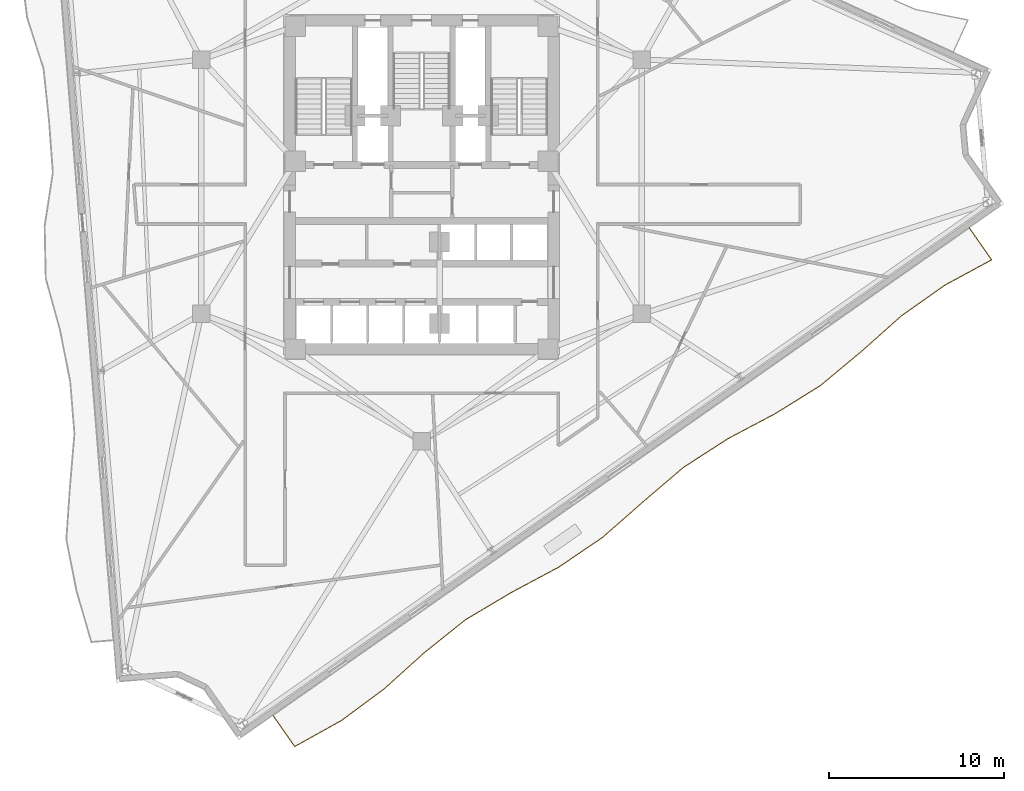
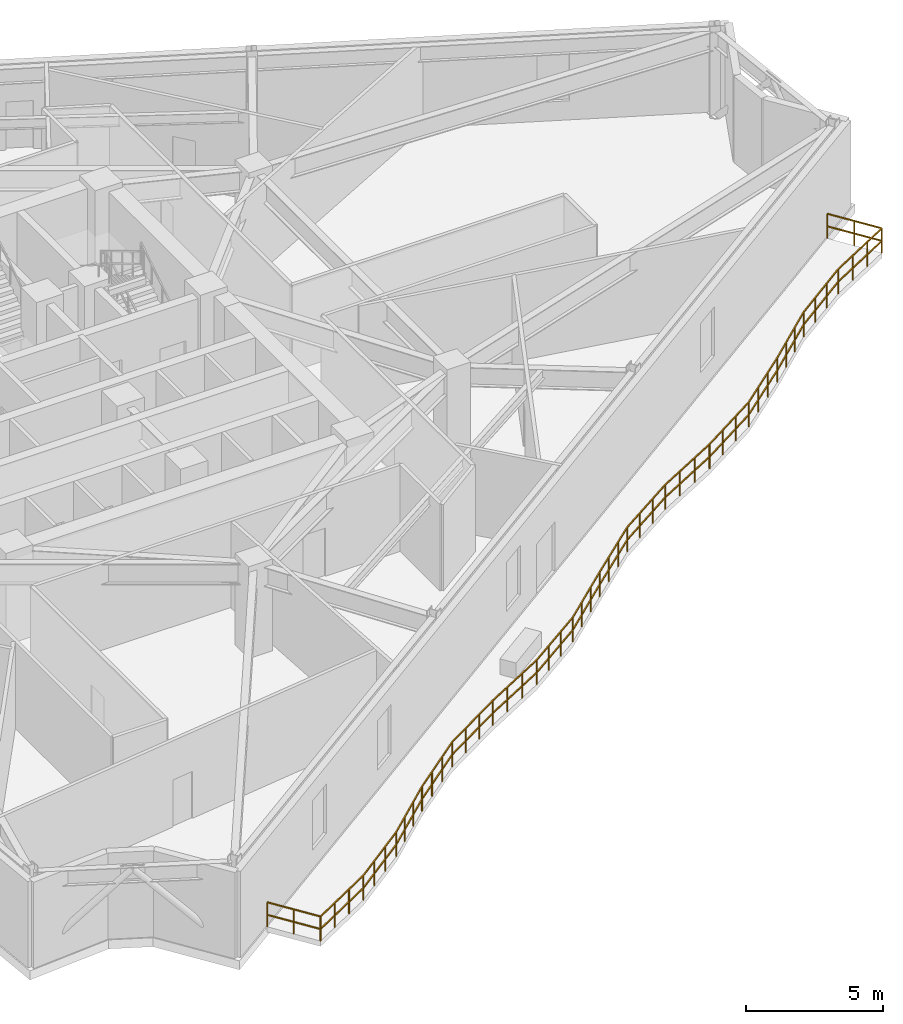
# One storey, part 12 of 14: 1 railing.
"""IFC4 building model written with IfcOpenShell, lengths in metres."""

from ifc_helpers import new_model, si_unit, direction, frame, origin, origin_2d, place, context, subcontext, project, spatial, rectangle, extrude, material, type_object, element, save


model = new_model("IFC4")

# Units and contexts
model_context = context("Model", 3, precision=1e-05, world=origin(), true_north=direction((0.0, 1.0)))
body_context = subcontext(model_context, "Body", "Model", "MODEL_VIEW")
ifc_project = project(units=[si_unit("LENGTHUNIT", "METRE"), si_unit("AREAUNIT", "SQUARE_METRE"), si_unit("VOLUMEUNIT", "CUBIC_METRE"), si_unit("PLANEANGLEUNIT", "RADIAN"), si_unit("MASSUNIT", "GRAM", prefix="KILO")], contexts=[model_context])

# Site, building, storey
site_placement = place(None, origin())
site = spatial("IfcSite", under=ifc_project, at=site_placement, CompositionType="ELEMENT")
building_placement = place(site_placement, origin())
building = spatial("IfcBuilding", under=site, at=building_placement, Name="Apsidion Concourse Tower", CompositionType="ELEMENT")
storey_placement = place(building_placement, frame((0.0, 0.0, 194.199951171875)))
storey = spatial("IfcBuildingStorey", under=building, at=storey_placement, Name="L45", CompositionType="ELEMENT", Elevation=194.199951171875)

# Railing
ifc_material = material(Name="Brushed stainless steel 316", Category="steel")
railing_type = type_object("IfcRailingType", Name="RL-BAL-1120", PredefinedType="BALUSTRADE", material=ifc_material)
railing_placement = place(storey_placement, frame((31.23095703125, -2.356689453125, 0.0)))
element("IfcRailing", 1, at=railing_placement, inside=storey, type_object=railing_type, Name="L45 Face 2 Spiral Terrace Balustrade", PredefinedType="BALUSTRADE", context=body_context, shape_type="SweptSolid", body=[
    extrude(rectangle(XDim=0.048095703125, YDim=0.048095703125, at=origin_2d()), frame((0.0, 0.0, 1.09619140625), z_axis=(0.573640191137, -0.81910739901, 0.0), x_axis=(0.81910739901, 0.573640191137, 0.0)), (0.0, 0.0, 1.0), 2.2109375),
    extrude(rectangle(XDim=0.048095703125, YDim=0.048095703125, at=origin_2d()), frame((0.0, 0.0, 0.5361328125), z_axis=(0.573640191137, -0.81910739901, 0.0), x_axis=(0.81910739901, 0.573640191137, 0.0)), (0.0, 0.0, 1.0), 2.2109375),
    extrude(rectangle(XDim=0.048095703125, YDim=0.048095703125, at=origin_2d()), frame((1.268310546875, -1.81103515625, 1.09619140625), z_axis=(-0.879104654017, -0.476628794016, 0.0), x_axis=(0.476628794016, -0.879104654017, 0.0)), (0.0, 0.0, 1.0), 3.048828125),
    extrude(rectangle(XDim=0.048095703125, YDim=0.048095703125, at=origin_2d()), frame((1.268310546875, -1.81103515625, 0.5361328125), z_axis=(-0.879104654017, -0.476628794016, 0.0), x_axis=(0.476628794016, -0.879104654017, 0.0)), (0.0, 0.0, 1.0), 3.048828125),
    extrude(rectangle(XDim=0.048095703125, YDim=0.048095703125, at=origin_2d()), frame((-1.411865234375, -3.26416015625, 1.09619140625), z_axis=(-0.816831578445, -0.576876219354, 0.0), x_axis=(0.576876219354, -0.816831578445, 0.0)), (0.0, 0.0, 1.0), 3.02880859375),
    extrude(rectangle(XDim=0.048095703125, YDim=0.048095703125, at=origin_2d()), frame((-1.411865234375, -3.26416015625, 0.5361328125), z_axis=(-0.816831578445, -0.576876219354, 0.0), x_axis=(0.576876219354, -0.816831578445, 0.0)), (0.0, 0.0, 1.0), 3.02880859375),
    extrude(rectangle(XDim=0.048095703125, YDim=0.048095703125, at=origin_2d()), frame((-3.885986328125, -5.011474609375, 1.09619140625), z_axis=(-0.746640324268, -0.665227950538, 0.0), x_axis=(0.665227950538, -0.746640324268, 0.0)), (0.0, 0.0, 1.0), 3.0498046875),
    extrude(rectangle(XDim=0.048095703125, YDim=0.048095703125, at=origin_2d()), frame((-3.885986328125, -5.011474609375, 0.5361328125), z_axis=(-0.746640324268, -0.665227950538, 0.0), x_axis=(0.665227950538, -0.746640324268, 0.0)), (0.0, 0.0, 1.0), 3.0498046875),
    extrude(rectangle(XDim=0.048095703125, YDim=0.048095703125, at=origin_2d()), frame((-6.1630859375, -7.040283203125, 1.09619140625), z_axis=(-0.768622749673, -0.639702328185, 0.0), x_axis=(0.639702328185, -0.768622749673, 0.0)), (0.0, 0.0, 1.0), 3.03955078125),
    extrude(rectangle(XDim=0.048095703125, YDim=0.048095703125, at=origin_2d()), frame((-6.1630859375, -7.040283203125, 0.5361328125), z_axis=(-0.768622749673, -0.639702328185, 0.0), x_axis=(0.639702328185, -0.768622749673, 0.0)), (0.0, 0.0, 1.0), 3.03955078125),
    extrude(rectangle(XDim=0.048095703125, YDim=0.048095703125, at=origin_2d()), frame((-8.499267578125, -8.984619140625, 1.09619140625), z_axis=(-0.849590425869, -0.527442990542, 0.0), x_axis=(0.527442990542, -0.849590425869, 0.0)), (0.0, 0.0, 1.0), 3.03369140625),
    extrude(rectangle(XDim=0.048095703125, YDim=0.048095703125, at=origin_2d()), frame((-8.499267578125, -8.984619140625, 0.5361328125), z_axis=(-0.849590425869, -0.527442990542, 0.0), x_axis=(0.527442990542, -0.849590425869, 0.0)), (0.0, 0.0, 1.0), 3.03369140625),
    extrude(rectangle(XDim=0.048095703125, YDim=0.048095703125, at=origin_2d()), frame((-11.07666015625, -10.584716796875, 1.09619140625), z_axis=(-0.883803481373, -0.467858318631, 0.0), x_axis=(0.467858318631, -0.883803481373, 0.0)), (0.0, 0.0, 1.0), 3.05224609375),
    extrude(rectangle(XDim=0.048095703125, YDim=0.048095703125, at=origin_2d()), frame((-11.07666015625, -10.584716796875, 0.5361328125), z_axis=(-0.883803481373, -0.467858318631, 0.0), x_axis=(0.467858318631, -0.883803481373, 0.0)), (0.0, 0.0, 1.0), 3.05224609375),
    extrude(rectangle(XDim=0.048095703125, YDim=0.048095703125, at=origin_2d()), frame((-13.774169921875, -12.0126953125, 1.09619140625), z_axis=(-0.840077612665, -0.542466224477, 0.0), x_axis=(0.542466224477, -0.840077612665, 0.0)), (0.0, 0.0, 1.0), 3.03125),
    extrude(rectangle(XDim=0.048095703125, YDim=0.048095703125, at=origin_2d()), frame((-13.774169921875, -12.0126953125, 0.5361328125), z_axis=(-0.840077612665, -0.542466224477, 0.0), x_axis=(0.542466224477, -0.840077612665, 0.0)), (0.0, 0.0, 1.0), 3.03125),
    extrude(rectangle(XDim=0.048095703125, YDim=0.048095703125, at=origin_2d()), frame((-16.320556640625, -13.656982421875, 1.09619140625), z_axis=(-0.760071491099, -0.649839463574, 0.0), x_axis=(0.649839463574, -0.760071491099, 0.0)), (0.0, 0.0, 1.0), 3.043212890625),
    extrude(rectangle(XDim=0.048095703125, YDim=0.048095703125, at=origin_2d()), frame((-16.320556640625, -13.656982421875, 0.5361328125), z_axis=(-0.760071491099, -0.649839463574, 0.0), x_axis=(0.649839463574, -0.760071491099, 0.0)), (0.0, 0.0, 1.0), 3.043212890625),
    extrude(rectangle(XDim=0.048095703125, YDim=0.048095703125, at=origin_2d()), frame((-18.633544921875, -15.634521484375, 1.09619140625), z_axis=(-0.751866427049, -0.659315460062, 0.0), x_axis=(0.659315460062, -0.751866427049, 0.0)), (0.0, 0.0, 1.0), 3.046875),
    extrude(rectangle(XDim=0.048095703125, YDim=0.048095703125, at=origin_2d()), frame((-18.633544921875, -15.634521484375, 0.5361328125), z_axis=(-0.751866427049, -0.659315460062, 0.0), x_axis=(0.659315460062, -0.751866427049, 0.0)), (0.0, 0.0, 1.0), 3.046875),
    extrude(rectangle(XDim=0.048095703125, YDim=0.048095703125, at=origin_2d()), frame((-20.92431640625, -17.643310546875, 1.09619140625), z_axis=(-0.827823315276, -0.560988911374, 0.0), x_axis=(0.560988911374, -0.827823315276, 0.0)), (0.0, 0.0, 1.0), 3.029296875),
    extrude(rectangle(XDim=0.048095703125, YDim=0.048095703125, at=origin_2d()), frame((-20.92431640625, -17.643310546875, 0.5361328125), z_axis=(-0.827823315276, -0.560988911374, 0.0), x_axis=(0.560988911374, -0.827823315276, 0.0)), (0.0, 0.0, 1.0), 3.029296875),
    extrude(rectangle(XDim=0.048095703125, YDim=0.048095703125, at=origin_2d()), frame((-23.43212890625, -19.3427734375, 1.09619140625), z_axis=(-0.882033746725, -0.471186236682, 0.0), x_axis=(0.471186236682, -0.882033746725, 0.0)), (0.0, 0.0, 1.0), 3.05078125),
    extrude(rectangle(XDim=0.048095703125, YDim=0.048095703125, at=origin_2d()), frame((-23.43212890625, -19.3427734375, 0.5361328125), z_axis=(-0.882033746725, -0.471186236682, 0.0), x_axis=(0.471186236682, -0.882033746725, 0.0)), (0.0, 0.0, 1.0), 3.05078125),
    extrude(rectangle(XDim=0.048095703125, YDim=0.048095703125, at=origin_2d()), frame((-26.123046875, -20.7802734375, 1.09619140625), z_axis=(-0.859613173751, -0.510945389952, 0.0), x_axis=(0.510945389952, -0.859613173751, 0.0)), (0.0, 0.0, 1.0), 3.03759765625),
    extrude(rectangle(XDim=0.048095703125, YDim=0.048095703125, at=origin_2d()), frame((-26.123046875, -20.7802734375, 0.5361328125), z_axis=(-0.859613173751, -0.510945389952, 0.0), x_axis=(0.510945389952, -0.859613173751, 0.0)), (0.0, 0.0, 1.0), 3.03759765625),
    extrude(rectangle(XDim=0.048095703125, YDim=0.048095703125, at=origin_2d()), frame((-28.734130859375, -22.332275390625, 1.09619140625), z_axis=(-0.780059880861, -0.625704868346, 0.0), x_axis=(0.625704868346, -0.780059880861, 0.0)), (0.0, 0.0, 1.0), 3.03515625),
    extrude(rectangle(XDim=0.048095703125, YDim=0.048095703125, at=origin_2d()), frame((-28.734130859375, -22.332275390625, 0.5361328125), z_axis=(-0.780059880861, -0.625704868346, 0.0), x_axis=(0.625704868346, -0.780059880861, 0.0)), (0.0, 0.0, 1.0), 3.03515625),
    extrude(rectangle(XDim=0.048095703125, YDim=0.048095703125, at=origin_2d()), frame((-31.101806640625, -24.2314453125, 1.09619140625), z_axis=(-0.742796705555, -0.669517030565, 0.0), x_axis=(0.669517030565, -0.742796705555, 0.0)), (0.0, 0.0, 1.0), 3.0517578125),
    extrude(rectangle(XDim=0.048095703125, YDim=0.048095703125, at=origin_2d()), frame((-31.101806640625, -24.2314453125, 0.5361328125), z_axis=(-0.742796705555, -0.669517030565, 0.0), x_axis=(0.669517030565, -0.742796705555, 0.0)), (0.0, 0.0, 1.0), 3.0517578125),
    extrude(rectangle(XDim=0.048095703125, YDim=0.048095703125, at=origin_2d()), frame((-33.36865234375, -26.274658203125, 1.09619140625), z_axis=(-0.803707036325, -0.59502520935, 0.0), x_axis=(0.59502520935, -0.803707036325, 0.0)), (0.0, 0.0, 1.0), 3.030029296875),
    extrude(rectangle(XDim=0.048095703125, YDim=0.048095703125, at=origin_2d()), frame((-33.36865234375, -26.274658203125, 0.5361328125), z_axis=(-0.803707036325, -0.59502520935, 0.0), x_axis=(0.59502520935, -0.803707036325, 0.0)), (0.0, 0.0, 1.0), 3.030029296875),
    extrude(rectangle(XDim=0.048095703125, YDim=0.048095703125, at=origin_2d()), frame((-35.803955078125, -28.07763671875, 1.09619140625), z_axis=(-0.873850764985, -0.48619424157, 0.0), x_axis=(0.48619424157, -0.873850764985, 0.0)), (0.0, 0.0, 1.0), 3.044921875),
    extrude(rectangle(XDim=0.048095703125, YDim=0.048095703125, at=origin_2d()), frame((-35.803955078125, -28.07763671875, 0.5361328125), z_axis=(-0.873850764985, -0.48619424157, 0.0), x_axis=(0.48619424157, -0.873850764985, 0.0)), (0.0, 0.0, 1.0), 3.044921875),
    extrude(rectangle(XDim=0.048095703125, YDim=0.048095703125, at=origin_2d()), frame((-38.46484375, -29.55810546875, 1.09619140625), z_axis=(-0.573629982879, 0.819114547998, 0.0), x_axis=(-0.819114547998, -0.573629982879, 0.0)), (0.0, 0.0, 1.0), 2.150146484375),
    extrude(rectangle(XDim=0.048095703125, YDim=0.048095703125, at=origin_2d()), frame((-38.46484375, -29.55810546875, 0.5361328125), z_axis=(-0.573629982879, 0.819114547998, 0.0), x_axis=(-0.819114547998, -0.573629982879, 0.0)), (0.0, 0.0, 1.0), 2.150146484375),
    extrude(rectangle(XDim=0.0419921875, YDim=0.0419921875, at=origin_2d()), origin(), (0.0, 0.0, 1.0), 1.072021484375),
    extrude(rectangle(XDim=0.0419921875, YDim=0.0419921875, at=origin_2d()), frame((0.63427734375, -0.905517578125, 0.0)), (0.0, 0.0, 1.0), 1.072021484375),
    extrude(rectangle(XDim=0.0419921875, YDim=0.0419921875, at=origin_2d()), frame((1.268310546875, -1.81103515625, 0.0)), (0.0, 0.0, 1.0), 1.072021484375),
    extrude(rectangle(XDim=0.0419921875, YDim=0.0419921875, at=origin_2d()), frame((0.375, -2.29541015625, 0.0)), (0.0, 0.0, 1.0), 1.072021484375),
    extrude(rectangle(XDim=0.0419921875, YDim=0.0419921875, at=origin_2d()), frame((-0.5185546875, -2.77978515625, 0.0)), (0.0, 0.0, 1.0), 1.072021484375),
    extrude(rectangle(XDim=0.0419921875, YDim=0.0419921875, at=origin_2d()), frame((-1.411865234375, -3.26416015625, 0.0)), (0.0, 0.0, 1.0), 1.072021484375),
    extrude(rectangle(XDim=0.0419921875, YDim=0.0419921875, at=origin_2d()), frame((-2.236572265625, -3.8466796875, 0.0)), (0.0, 0.0, 1.0), 1.072021484375),
    extrude(rectangle(XDim=0.0419921875, YDim=0.0419921875, at=origin_2d()), frame((-3.061279296875, -4.428955078125, 0.0)), (0.0, 0.0, 1.0), 1.072021484375),
    extrude(rectangle(XDim=0.0419921875, YDim=0.0419921875, at=origin_2d()), frame((-3.885986328125, -5.011474609375, 0.0)), (0.0, 0.0, 1.0), 1.072021484375),
    extrude(rectangle(XDim=0.0419921875, YDim=0.0419921875, at=origin_2d()), frame((-4.64501953125, -5.687744140625, 0.0)), (0.0, 0.0, 1.0), 1.072021484375),
    extrude(rectangle(XDim=0.0419921875, YDim=0.0419921875, at=origin_2d()), frame((-5.404052734375, -6.364013671875, 0.0)), (0.0, 0.0, 1.0), 1.072021484375),
    extrude(rectangle(XDim=0.0419921875, YDim=0.0419921875, at=origin_2d()), frame((-6.1630859375, -7.040283203125, 0.0)), (0.0, 0.0, 1.0), 1.072021484375),
    extrude(rectangle(XDim=0.0419921875, YDim=0.0419921875, at=origin_2d()), frame((-6.94189453125, -7.6884765625, 0.0)), (0.0, 0.0, 1.0), 1.072021484375),
    extrude(rectangle(XDim=0.0419921875, YDim=0.0419921875, at=origin_2d()), frame((-7.720458984375, -8.33642578125, 0.0)), (0.0, 0.0, 1.0), 1.072021484375),
    extrude(rectangle(XDim=0.0419921875, YDim=0.0419921875, at=origin_2d()), frame((-8.499267578125, -8.984619140625, 0.0)), (0.0, 0.0, 1.0), 1.072021484375),
    extrude(rectangle(XDim=0.0419921875, YDim=0.0419921875, at=origin_2d()), frame((-9.3583984375, -9.51806640625, 0.0)), (0.0, 0.0, 1.0), 1.072021484375),
    extrude(rectangle(XDim=0.0419921875, YDim=0.0419921875, at=origin_2d()), frame((-10.217529296875, -10.05126953125, 0.0)), (0.0, 0.0, 1.0), 1.072021484375),
    extrude(rectangle(XDim=0.0419921875, YDim=0.0419921875, at=origin_2d()), frame((-11.07666015625, -10.584716796875, 0.0)), (0.0, 0.0, 1.0), 1.072021484375),
    extrude(rectangle(XDim=0.0419921875, YDim=0.0419921875, at=origin_2d()), frame((-11.975830078125, -11.060791015625, 0.0)), (0.0, 0.0, 1.0), 1.072021484375),
    extrude(rectangle(XDim=0.0419921875, YDim=0.0419921875, at=origin_2d()), frame((-12.875, -11.53662109375, 0.0)), (0.0, 0.0, 1.0), 1.072021484375),
    extrude(rectangle(XDim=0.0419921875, YDim=0.0419921875, at=origin_2d()), frame((-13.774169921875, -12.0126953125, 0.0)), (0.0, 0.0, 1.0), 1.072021484375),
    extrude(rectangle(XDim=0.0419921875, YDim=0.0419921875, at=origin_2d()), frame((-14.623046875, -12.560791015625, 0.0)), (0.0, 0.0, 1.0), 1.072021484375),
    extrude(rectangle(XDim=0.0419921875, YDim=0.0419921875, at=origin_2d()), frame((-15.4716796875, -13.10888671875, 0.0)), (0.0, 0.0, 1.0), 1.072021484375),
    extrude(rectangle(XDim=0.0419921875, YDim=0.0419921875, at=origin_2d()), frame((-16.320556640625, -13.656982421875, 0.0)), (0.0, 0.0, 1.0), 1.072021484375),
    extrude(rectangle(XDim=0.0419921875, YDim=0.0419921875, at=origin_2d()), frame((-17.091552734375, -14.316162109375, 0.0)), (0.0, 0.0, 1.0), 1.072021484375),
    extrude(rectangle(XDim=0.0419921875, YDim=0.0419921875, at=origin_2d()), frame((-17.862548828125, -14.975341796875, 0.0)), (0.0, 0.0, 1.0), 1.072021484375),
    extrude(rectangle(XDim=0.0419921875, YDim=0.0419921875, at=origin_2d()), frame((-18.633544921875, -15.634521484375, 0.0)), (0.0, 0.0, 1.0), 1.072021484375),
    extrude(rectangle(XDim=0.0419921875, YDim=0.0419921875, at=origin_2d()), frame((-19.397216796875, -16.30419921875, 0.0)), (0.0, 0.0, 1.0), 1.072021484375),
    extrude(rectangle(XDim=0.0419921875, YDim=0.0419921875, at=origin_2d()), frame((-20.16064453125, -16.9736328125, 0.0)), (0.0, 0.0, 1.0), 1.072021484375),
    extrude(rectangle(XDim=0.0419921875, YDim=0.0419921875, at=origin_2d()), frame((-20.92431640625, -17.643310546875, 0.0)), (0.0, 0.0, 1.0), 1.072021484375),
    extrude(rectangle(XDim=0.0419921875, YDim=0.0419921875, at=origin_2d()), frame((-21.76025390625, -18.209716796875, 0.0)), (0.0, 0.0, 1.0), 1.072021484375),
    extrude(rectangle(XDim=0.0419921875, YDim=0.0419921875, at=origin_2d()), frame((-22.59619140625, -18.7763671875, 0.0)), (0.0, 0.0, 1.0), 1.072021484375),
    extrude(rectangle(XDim=0.0419921875, YDim=0.0419921875, at=origin_2d()), frame((-23.43212890625, -19.3427734375, 0.0)), (0.0, 0.0, 1.0), 1.072021484375),
    extrude(rectangle(XDim=0.0419921875, YDim=0.0419921875, at=origin_2d()), frame((-24.3291015625, -19.822021484375, 0.0)), (0.0, 0.0, 1.0), 1.072021484375),
    extrude(rectangle(XDim=0.0419921875, YDim=0.0419921875, at=origin_2d()), frame((-25.22607421875, -20.301025390625, 0.0)), (0.0, 0.0, 1.0), 1.072021484375),
    extrude(rectangle(XDim=0.0419921875, YDim=0.0419921875, at=origin_2d()), frame((-26.123046875, -20.7802734375, 0.0)), (0.0, 0.0, 1.0), 1.072021484375),
    extrude(rectangle(XDim=0.0419921875, YDim=0.0419921875, at=origin_2d()), frame((-26.993408203125, -21.297607421875, 0.0)), (0.0, 0.0, 1.0), 1.072021484375),
    extrude(rectangle(XDim=0.0419921875, YDim=0.0419921875, at=origin_2d()), frame((-27.86376953125, -21.81494140625, 0.0)), (0.0, 0.0, 1.0), 1.072021484375),
    extrude(rectangle(XDim=0.0419921875, YDim=0.0419921875, at=origin_2d()), frame((-28.734130859375, -22.332275390625, 0.0)), (0.0, 0.0, 1.0), 1.072021484375),
    extrude(rectangle(XDim=0.0419921875, YDim=0.0419921875, at=origin_2d()), frame((-29.5234375, -22.96533203125, 0.0)), (0.0, 0.0, 1.0), 1.072021484375),
    extrude(rectangle(XDim=0.0419921875, YDim=0.0419921875, at=origin_2d()), frame((-30.3125, -23.598388671875, 0.0)), (0.0, 0.0, 1.0), 1.072021484375),
    extrude(rectangle(XDim=0.0419921875, YDim=0.0419921875, at=origin_2d()), frame((-31.101806640625, -24.2314453125, 0.0)), (0.0, 0.0, 1.0), 1.072021484375),
    extrude(rectangle(XDim=0.0419921875, YDim=0.0419921875, at=origin_2d()), frame((-31.857421875, -24.91259765625, 0.0)), (0.0, 0.0, 1.0), 1.072021484375),
    extrude(rectangle(XDim=0.0419921875, YDim=0.0419921875, at=origin_2d()), frame((-32.613037109375, -25.593505859375, 0.0)), (0.0, 0.0, 1.0), 1.072021484375),
    extrude(rectangle(XDim=0.0419921875, YDim=0.0419921875, at=origin_2d()), frame((-33.36865234375, -26.274658203125, 0.0)), (0.0, 0.0, 1.0), 1.072021484375),
    extrude(rectangle(XDim=0.0419921875, YDim=0.0419921875, at=origin_2d()), frame((-34.180419921875, -26.875732421875, 0.0)), (0.0, 0.0, 1.0), 1.072021484375),
    extrude(rectangle(XDim=0.0419921875, YDim=0.0419921875, at=origin_2d()), frame((-34.9921875, -27.4765625, 0.0)), (0.0, 0.0, 1.0), 1.072021484375),
    extrude(rectangle(XDim=0.0419921875, YDim=0.0419921875, at=origin_2d()), frame((-35.803955078125, -28.07763671875, 0.0)), (0.0, 0.0, 1.0), 1.072021484375),
    extrude(rectangle(XDim=0.0419921875, YDim=0.0419921875, at=origin_2d()), frame((-36.69091796875, -28.571044921875, 0.0)), (0.0, 0.0, 1.0), 1.072021484375),
    extrude(rectangle(XDim=0.0419921875, YDim=0.0419921875, at=origin_2d()), frame((-37.577880859375, -29.064697265625, 0.0)), (0.0, 0.0, 1.0), 1.072021484375),
    extrude(rectangle(XDim=0.0419921875, YDim=0.0419921875, at=origin_2d()), frame((-38.46484375, -29.55810546875, 0.0)), (0.0, 0.0, 1.0), 1.072021484375),
    extrude(rectangle(XDim=0.0419921875, YDim=0.0419921875, at=origin_2d()), frame((-39.08154296875, -28.677490234375, 0.0)), (0.0, 0.0, 1.0), 1.072021484375),
    extrude(rectangle(XDim=0.0419921875, YDim=0.0419921875, at=origin_2d()), frame((-39.6982421875, -27.796875, 0.0)), (0.0, 0.0, 1.0), 1.072021484375),
])

save(model, "model.ifc")
